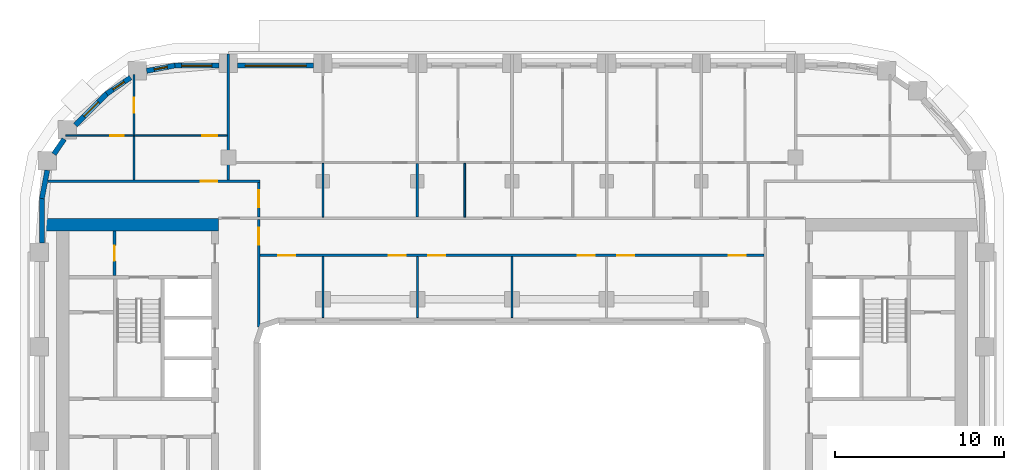
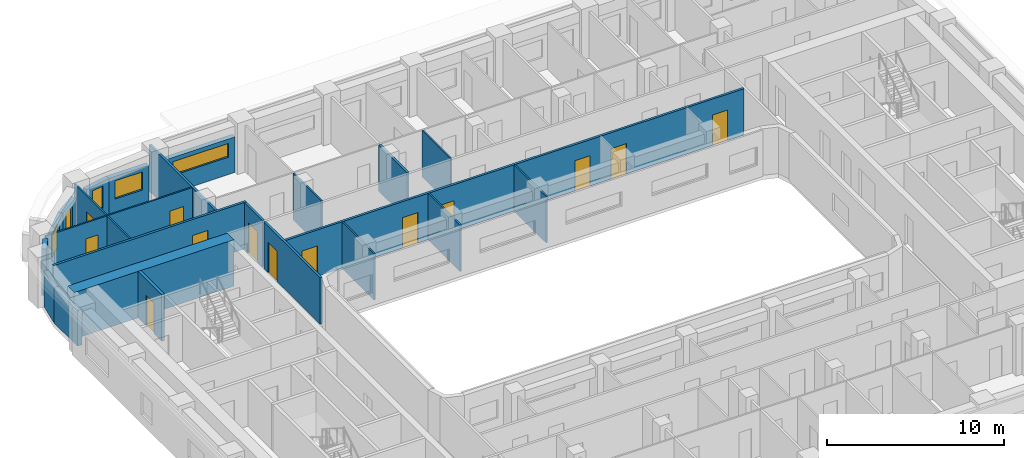
# One storey, part 7 of 22: 24 walls, 13 doors, 5 windows, 18 openings.
"""IFC4 building model written with IfcOpenShell, lengths in metres."""

from ifc_helpers import new_model, si_unit, direction, frame, frame_2d, origin, place, context, subcontext, project, spatial, rectangle, extrude, material, layer, layer_set, type_object, element, fill, save


model = new_model("IFC4")

# Units and contexts
model_context = context("Model", 3, precision=1e-05, world=origin(), true_north=direction((0.0, 1.0)))
body_context = subcontext(model_context, "Body", "Model", "MODEL_VIEW")
ifc_project = project(units=[si_unit("LENGTHUNIT", "METRE"), si_unit("AREAUNIT", "SQUARE_METRE"), si_unit("VOLUMEUNIT", "CUBIC_METRE"), si_unit("PLANEANGLEUNIT", "RADIAN"), si_unit("MASSUNIT", "GRAM", prefix="KILO")], contexts=[model_context])

# Site, building, storey
site_placement = place(None, origin())
site = spatial("IfcSite", under=ifc_project, at=site_placement, CompositionType="ELEMENT")
building_placement = place(site_placement, origin())
building = spatial("IfcBuilding", under=site, at=building_placement, Name="Kiln Ring Residences", CompositionType="ELEMENT")
storey_placement = place(building_placement, frame((0.0, 0.0, 139.60009765625)))
storey = spatial("IfcBuildingStorey", under=building, at=storey_placement, Name="L35", CompositionType="ELEMENT", Elevation=139.60009765625)

# Wall, opening, door
ifc_material_1 = material(Name="Gypsum board on steel studs", Category="steel")
ifc_layer_1 = layer(ifc_material_1, 0.199951171875)
ifc_layer_set_1 = layer_set([ifc_layer_1], Name="CORE-PARTITION-200")
wall_type_1 = type_object("IfcWallType", Name="CORE-PARTITION-200", PredefinedType="PARTITIONING", material=ifc_layer_set_1)
wall_1_placement = place(storey_placement, frame((-23.550048828125, 9.800048828125, 0.0), z_axis=(0.0, 0.0, 1.0), x_axis=(0.0, 1.0, 0.0)))
wall_1 = element("IfcWall", 1, at=wall_1_placement, inside=storey, type_object=wall_type_1, Name="Core partition west L35 4", PredefinedType="PARTITIONING", context=body_context, shape_type="SweptSolid", body=[
    extrude(rectangle(XDim=2.64990234375, YDim=0.199951171875, at=frame_2d((1.324951171875, 0.0))), origin(), (0.0, 0.0, 1.0), 3.199951171875),
])
opening_1_placement = place(wall_1_placement, frame((0.875, 0.0, 0.0)))
opening_1 = element("IfcOpeningElement", 2, at=opening_1_placement, cuts=wall_1, Name="Opening L35-CW09", PredefinedType="OPENING", context=body_context, shape_type="SweptSolid", body=[
    extrude(rectangle(XDim=0.89990234375, YDim=2.10009765625, at=frame_2d((0.449951171875, 1.050048828125))), frame((0.0, 0.10986328125, 0.0), z_axis=(0.0, -1.0, 0.0), x_axis=(1.0, 0.0, 0.0)), (0.0, 0.0, 1.0), 0.219970703125),
])
ifc_material_2 = material(Name="Steel door leaf", Category="steel")
door_type_1 = type_object("IfcDoorType", Name="CORE-DOOR-ROOM", OperationType="SINGLE_SWING_LEFT", PredefinedType="DOOR", material=ifc_material_2)
door_1_placement = place(opening_1_placement, origin())
door_1 = element("IfcDoor", 3, at=door_1_placement, inside=storey, type_object=door_type_1, Name="Fire riser room L35-CW09", OperationType="SINGLE_SWING_LEFT", OverallHeight=2.10009765625, OverallWidth=0.89990234375, PredefinedType="DOOR", context=body_context, shape_type="SweptSolid", body=[
    extrude(rectangle(XDim=0.89990234375, YDim=2.10009765625, at=frame_2d((0.449951171875, 1.050048828125))), frame((0.0, 0.02490234375, 0.0), z_axis=(0.0, -1.0, 0.0), x_axis=(1.0, 0.0, 0.0)), (0.0, 0.0, 1.0), 0.050048828125),
])
fill(opening_1, door_1)

# Wall
ifc_material_3 = material(Name="Concrete C60/75", Category="concrete")
ifc_layer_2 = layer(ifc_material_3, 0.75)
ifc_layer_set_2 = layer_set([ifc_layer_2], Name="CORE-WALL-RC750")
wall_type_2 = type_object("IfcWallType", Name="CORE-WALL-RC750", PredefinedType="SHEAR", material=ifc_layer_set_2)
wall_2_placement = place(storey_placement, frame((-17.39990234375, 12.824951171875, 0.0), z_axis=(0.0, 0.0, 1.0), x_axis=(-1.0, 0.0, 0.0)))
element("IfcWall", 4, at=wall_2_placement, inside=storey, type_object=wall_type_2, Name="Core wall west L35 4", PredefinedType="SHEAR", context=body_context, shape_type="SweptSolid", body=[
    extrude(rectangle(XDim=10.400146484375, YDim=0.75, at=frame_2d((5.2001953125, 0.0))), origin(), (0.0, 0.0, 1.0), 3.199951171875),
])

# Wall, opening, window
ifc_material_4 = material(Name="Brick masonry, dark clay brick", Category="masonry")
ifc_layer_3 = layer(ifc_material_4, 0.300048828125)
ifc_layer_set_3 = layer_set([ifc_layer_3], Name="EW-300 BRICK WALL")
wall_type_3 = type_object("IfcWallType", Name="EW-300 BRICK WALL", PredefinedType="SOLIDWALL", material=ifc_layer_set_3)
wall_3_placement = place(storey_placement, frame((-11.75, 22.25, 0.0), z_axis=(0.0, 0.0, 1.0), x_axis=(-1.0, 0.0, 0.0)))
wall_3 = element("IfcWall", 5, at=wall_3_placement, inside=storey, type_object=wall_type_3, Name="Facade wall L35 34", PredefinedType="SOLIDWALL", context=body_context, shape_type="SweptSolid", body=[
    extrude(rectangle(XDim=4.5, YDim=0.300048828125, at=frame_2d((2.25, 0.0))), origin(), (0.0, 0.0, 1.0), 2.449951171875),
])
opening_2_placement = place(wall_3_placement, frame((0.449951171875, 0.0, 1.199951171875)))
opening_2 = element("IfcOpeningElement", 6, at=opening_2_placement, cuts=wall_3, Name="Opening W4", PredefinedType="OPENING", context=body_context, shape_type="SweptSolid", body=[
    extrude(rectangle(XDim=3.60009765625, YDim=0.949951171875, at=frame_2d((1.800048828125, 0.47509765625))), frame((0.0, 0.159912109375, 0.0), z_axis=(0.0, -1.0, 0.0), x_axis=(1.0, 0.0, 0.0)), (0.0, 0.0, 1.0), 0.320068359375),
])
ifc_material_5 = material(Name="Aluminium frame with double glazing", Category="aluminium")
window_type_1 = type_object("IfcWindowType", Name="WINDOW 3600 x 950", PartitioningType="SINGLE_PANEL", PredefinedType="WINDOW", material=ifc_material_5)
window_1_placement = place(opening_2_placement, origin())
window_1 = element("IfcWindow", 7, at=window_1_placement, inside=storey, type_object=window_type_1, Name="Window L35 28", OverallHeight=0.949951171875, OverallWidth=3.60009765625, PartitioningType="SINGLE_PANEL", PredefinedType="WINDOW", context=body_context, shape_type="SweptSolid", body=[
    extrude(rectangle(XDim=3.60009765625, YDim=0.949951171875, at=frame_2d((1.800048828125, 0.47509765625))), frame((0.0, 0.030029296875, 0.0), z_axis=(0.0, -1.0, 0.0), x_axis=(1.0, 0.0, 0.0)), (0.0, 0.0, 1.0), 0.06005859375),
])
fill(opening_2, window_1)

wall_4_placement = place(storey_placement, frame((-17.35009765625, 22.25, 0.0), z_axis=(0.0, 0.0, 1.0), x_axis=(-1.0, 0.0, 0.0)))
wall_4 = element("IfcWall", 8, at=wall_4_placement, inside=storey, type_object=wall_type_3, Name="Facade wall L35 35", PredefinedType="SOLIDWALL", context=body_context, shape_type="SweptSolid", body=[
    extrude(rectangle(XDim=2.64990234375, YDim=0.300048828125, at=frame_2d((1.324951171875, 0.0))), origin(), (0.0, 0.0, 1.0), 2.449951171875),
])
opening_3_placement = place(wall_4_placement, frame((0.425048828125, 0.0, 0.89990234375)))
opening_3 = element("IfcOpeningElement", 9, at=opening_3_placement, cuts=wall_4, Name="Opening W2", PredefinedType="OPENING", context=body_context, shape_type="SweptSolid", body=[
    extrude(rectangle(XDim=1.800048828125, YDim=1.25, at=frame_2d((0.89990234375, 0.625))), frame((0.0, 0.159912109375, 0.0), z_axis=(0.0, -1.0, 0.0), x_axis=(1.0, 0.0, 0.0)), (0.0, 0.0, 1.0), 0.320068359375),
])
ifc_material_6 = material(Name="Aluminium frame with double glazing", Category="aluminium")
window_type_2 = type_object("IfcWindowType", Name="WINDOW 1800 x 1250", PartitioningType="SINGLE_PANEL", PredefinedType="WINDOW", material=ifc_material_6)
window_2_placement = place(opening_3_placement, origin())
window_2 = element("IfcWindow", 10, at=window_2_placement, inside=storey, type_object=window_type_2, Name="Window L35 29", OverallHeight=1.25, OverallWidth=1.800048828125, PartitioningType="SINGLE_PANEL", PredefinedType="WINDOW", context=body_context, shape_type="SweptSolid", body=[
    extrude(rectangle(XDim=1.800048828125, YDim=1.25, at=frame_2d((0.89990234375, 0.625))), frame((0.0, 0.030029296875, 0.0), z_axis=(0.0, -1.0, 0.0), x_axis=(1.0, 0.0, 0.0)), (0.0, 0.0, 1.0), 0.06005859375),
])
fill(opening_3, window_2)

wall_5_placement = place(storey_placement, frame((-19.971923828125, 22.252685546875, 0.0), z_axis=(0.0, 0.0, 1.0), x_axis=(-0.982297206936, -0.187329114784, 0.0)))
wall_5 = element("IfcWall", 11, at=wall_5_placement, inside=storey, type_object=wall_type_3, Name="Facade wall L35 36", PredefinedType="SOLIDWALL", context=body_context, shape_type="SweptSolid", body=[
    extrude(rectangle(XDim=1.7060546875, YDim=0.300048828125, at=frame_2d((0.85302734375, 0.0))), origin(), (0.0, 0.0, 1.0), 2.449951171875),
])
opening_4_placement = place(wall_5_placement, frame((0.453125, 0.0, 0.60009765625)))
opening_4 = element("IfcOpeningElement", 12, at=opening_4_placement, cuts=wall_5, Name="Opening W5", PredefinedType="OPENING", context=body_context, shape_type="SweptSolid", body=[
    extrude(rectangle(XDim=0.800048828125, YDim=1.550048828125, at=frame_2d((0.39990234375, 0.77490234375))), frame((0.0, 0.159912109375, 0.0), z_axis=(0.0, -1.0, 0.0), x_axis=(1.0, 0.0, 0.0)), (0.0, 0.0, 1.0), 0.320068359375),
])
ifc_material_7 = material(Name="Aluminium frame with double glazing", Category="aluminium")
window_type_3 = type_object("IfcWindowType", Name="WINDOW 800 x 1550", PartitioningType="SINGLE_PANEL", PredefinedType="WINDOW", material=ifc_material_7)
window_3_placement = place(opening_4_placement, origin())
window_3 = element("IfcWindow", 13, at=window_3_placement, inside=storey, type_object=window_type_3, Name="Window L35 30", OverallHeight=1.550048828125, OverallWidth=0.800048828125, PartitioningType="SINGLE_PANEL", PredefinedType="WINDOW", context=body_context, shape_type="SweptSolid", body=[
    extrude(rectangle(XDim=0.800048828125, YDim=1.550048828125, at=frame_2d((0.39990234375, 0.77490234375))), frame((0.0, 0.030029296875, 0.0), z_axis=(0.0, -1.0, 0.0), x_axis=(1.0, 0.0, 0.0)), (0.0, 0.0, 1.0), 0.06005859375),
])
fill(opening_4, window_3)

wall_6_placement = place(storey_placement, frame((-22.601806640625, 21.537841796875, 0.0), z_axis=(0.0, 0.0, 1.0), x_axis=(-0.827040942766, -0.562141689424, 0.0)))
wall_6 = element("IfcWall", 14, at=wall_6_placement, inside=storey, type_object=wall_type_3, Name="Facade wall L35 37", PredefinedType="SOLIDWALL", context=body_context, shape_type="SweptSolid", body=[
    extrude(rectangle(XDim=1.7060546875, YDim=0.300048828125, at=frame_2d((0.85302734375, 0.0))), origin(), (0.0, 0.0, 1.0), 2.449951171875),
])
opening_5_placement = place(wall_6_placement, frame((0.453125, 0.0, 0.60009765625)))
opening_5 = element("IfcOpeningElement", 15, at=opening_5_placement, cuts=wall_6, Name="Opening W5", PredefinedType="OPENING", context=body_context, shape_type="SweptSolid", body=[
    extrude(rectangle(XDim=0.800048828125, YDim=1.550048828125, at=frame_2d((0.39990234375, 0.77490234375))), frame((0.0, 0.159912109375, 0.0), z_axis=(0.0, -1.0, 0.0), x_axis=(1.0, 0.0, 0.0)), (0.0, 0.0, 1.0), 0.320068359375),
])
window_4_placement = place(opening_5_placement, origin())
window_4 = element("IfcWindow", 16, at=window_4_placement, inside=storey, type_object=window_type_3, Name="Window L35 31", OverallHeight=1.550048828125, OverallWidth=0.800048828125, PartitioningType="SINGLE_PANEL", PredefinedType="WINDOW", context=body_context, shape_type="SweptSolid", body=[
    extrude(rectangle(XDim=0.800048828125, YDim=1.550048828125, at=frame_2d((0.39990234375, 0.77490234375))), frame((0.0, 0.030029296875, 0.0), z_axis=(0.0, -1.0, 0.0), x_axis=(1.0, 0.0, 0.0)), (0.0, 0.0, 1.0), 0.06005859375),
])
fill(opening_5, window_4)

wall_7_placement = place(storey_placement, frame((-23.990966796875, 20.596923828125, 0.0), z_axis=(0.0, 0.0, 1.0), x_axis=(-0.707106781187, -0.707106781187, 0.0)))
wall_7 = element("IfcWall", 17, at=wall_7_placement, inside=storey, type_object=wall_type_3, Name="Facade wall L35 38", PredefinedType="SOLIDWALL", context=body_context, shape_type="SweptSolid", body=[
    extrude(rectangle(XDim=2.64990234375, YDim=0.300048828125, at=frame_2d((1.324951171875, 0.0))), origin(), (0.0, 0.0, 1.0), 2.449951171875),
])
opening_6_placement = place(wall_7_placement, frame((0.72509765625, 0.0, 0.60009765625)))
opening_6 = element("IfcOpeningElement", 18, at=opening_6_placement, cuts=wall_7, Name="Opening W1", PredefinedType="OPENING", context=body_context, shape_type="SweptSolid", body=[
    extrude(rectangle(XDim=1.199951171875, YDim=1.550048828125, at=frame_2d((0.60009765625, 0.77490234375))), frame((0.0, 0.159912109375, 0.0), z_axis=(0.0, -1.0, 0.0), x_axis=(1.0, 0.0, 0.0)), (0.0, 0.0, 1.0), 0.320068359375),
])
ifc_material_8 = material(Name="Aluminium frame with double glazing", Category="aluminium")
window_type_4 = type_object("IfcWindowType", Name="WINDOW 1200 x 1550", PartitioningType="SINGLE_PANEL", PredefinedType="WINDOW", material=ifc_material_8)
window_5_placement = place(opening_6_placement, origin())
window_5 = element("IfcWindow", 19, at=window_5_placement, inside=storey, type_object=window_type_4, Name="Window L35 32", OverallHeight=1.550048828125, OverallWidth=1.199951171875, PartitioningType="SINGLE_PANEL", PredefinedType="WINDOW", context=body_context, shape_type="SweptSolid", body=[
    extrude(rectangle(XDim=1.199951171875, YDim=1.550048828125, at=frame_2d((0.60009765625, 0.77490234375))), frame((0.0, 0.030029296875, 0.0), z_axis=(0.0, -1.0, 0.0), x_axis=(1.0, 0.0, 0.0)), (0.0, 0.0, 1.0), 0.06005859375),
])
fill(opening_6, window_5)

# Walls
wall_8_placement = place(storey_placement, frame((-26.532470703125, 17.892578125, 0.0), z_axis=(0.0, 0.0, 1.0), x_axis=(-0.562105419172, -0.82706559458, 0.0)))
element("IfcWall", 20, at=wall_8_placement, inside=storey, type_object=wall_type_3, Name="Facade wall L35 39", PredefinedType="SOLIDWALL", context=body_context, shape_type="SweptSolid", body=[
    extrude(rectangle(XDim=1.0771484375, YDim=0.300048828125, at=frame_2d((0.53857421875, 0.0))), origin(), (0.0, 0.0, 1.0), 3.199951171875),
])
wall_9_placement = place(storey_placement, frame((-27.532958984375, 16.0478515625, 0.0), z_axis=(0.0, 0.0, 1.0), x_axis=(-0.187302784601, -0.982302227871, 0.0)))
element("IfcWall", 21, at=wall_9_placement, inside=storey, type_object=wall_type_3, Name="Facade wall L35 40", PredefinedType="SOLIDWALL", context=body_context, shape_type="SweptSolid", body=[
    extrude(rectangle(XDim=1.706298828125, YDim=0.300048828125, at=frame_2d((0.85302734375, 0.0))), origin(), (0.0, 0.0, 1.0), 2.449951171875),
])
wall_10_placement = place(storey_placement, frame((-27.85009765625, 14.39990234375, 0.0), z_axis=(0.0, 0.0, 1.0), x_axis=(0.0, -1.0, 0.0)))
element("IfcWall", 22, at=wall_10_placement, inside=storey, type_object=wall_type_3, Name="Facade wall L35 41", PredefinedType="SOLIDWALL", context=body_context, shape_type="SweptSolid", body=[
    extrude(rectangle(XDim=2.64990234375, YDim=0.300048828125, at=frame_2d((1.324951171875, 0.0))), origin(), (0.0, 0.0, 1.0), 2.449951171875),
])

# Wall, openings, doors
ifc_material_9 = material(Name="Gypsum board on steel studs", Category="steel")
ifc_layer_4 = layer(ifc_material_9, 0.10009765625)
ifc_layer_set_4 = layer_set([ifc_layer_4], Name="PARTITION-100")
wall_type_4 = type_object("IfcWallType", Name="PARTITION-100", PredefinedType="PARTITIONING", material=ifc_layer_set_4)
wall_11_placement = place(storey_placement, frame((-26.43994140625, 18.10009765625, 0.0), z_axis=(0.0, 0.0, 1.0), x_axis=(1.0, 0.0, 0.0)))
wall_11 = element("IfcWall", 23, at=wall_11_placement, inside=storey, type_object=wall_type_4, Name="Partition 012", PredefinedType="PARTITIONING", context=body_context, shape_type="SweptSolid", body=[
    extrude(rectangle(XDim=9.56494140625, YDim=0.10009765625, at=frame_2d((4.782470703125, 0.0))), origin(), (0.0, 0.0, 1.0), 3.199951171875),
])
opening_7_placement = place(wall_11_placement, frame((2.6259765625, 0.0, 0.0)))
opening_7 = element("IfcOpeningElement", 24, at=opening_7_placement, cuts=wall_11, Name="Opening L35-D040", PredefinedType="OPENING", context=body_context, shape_type="SweptSolid", body=[
    extrude(rectangle(XDim=0.800048828125, YDim=2.10009765625, at=frame_2d((0.39990234375, 1.050048828125))), frame((0.0, 0.06005859375, 0.0), z_axis=(0.0, -1.0, 0.0), x_axis=(1.0, 0.0, 0.0)), (0.0, 0.0, 1.0), 0.1201171875),
])
opening_8_placement = place(wall_11_placement, frame((8.090087890625, 0.0, 0.0)))
opening_8 = element("IfcOpeningElement", 25, at=opening_8_placement, cuts=wall_11, Name="Opening L35-D041", PredefinedType="OPENING", context=body_context, shape_type="SweptSolid", body=[
    extrude(rectangle(XDim=0.89990234375, YDim=2.10009765625, at=frame_2d((0.449951171875, 1.050048828125))), frame((0.0, 0.06005859375, 0.0), z_axis=(0.0, -1.0, 0.0), x_axis=(1.0, 0.0, 0.0)), (0.0, 0.0, 1.0), 0.1201171875),
])
ifc_material_10 = material(Name="Timber door leaf", Category="wood")
door_type_2 = type_object("IfcDoorType", Name="FLAT-DOOR-800-PL", OperationType="SINGLE_SWING_LEFT", PredefinedType="DOOR", material=ifc_material_10)
door_2_placement = place(opening_7_placement, origin())
door_2 = element("IfcDoor", 26, at=door_2_placement, inside=storey, type_object=door_type_2, Name="Door L35-D040", OperationType="SINGLE_SWING_RIGHT", OverallHeight=2.10009765625, OverallWidth=0.800048828125, PredefinedType="DOOR", context=body_context, shape_type="SweptSolid", body=[
    extrude(rectangle(XDim=0.800048828125, YDim=2.10009765625, at=frame_2d((0.39990234375, 1.050048828125))), frame((0.0, 0.02490234375, 0.0), z_axis=(0.0, -1.0, 0.0), x_axis=(1.0, 0.0, 0.0)), (0.0, 0.0, 1.0), 0.050048828125),
])
fill(opening_7, door_2)
ifc_material_11 = material(Name="Timber door leaf", Category="wood")
door_type_3 = type_object("IfcDoorType", Name="FLAT-DOOR-900-PL", OperationType="SINGLE_SWING_LEFT", PredefinedType="DOOR", material=ifc_material_11)
door_3_placement = place(opening_8_placement, origin())
door_3 = element("IfcDoor", 27, at=door_3_placement, inside=storey, type_object=door_type_3, Name="Door L35-D041", OperationType="SINGLE_SWING_LEFT", OverallHeight=2.10009765625, OverallWidth=0.89990234375, PredefinedType="DOOR", context=body_context, shape_type="SweptSolid", body=[
    extrude(rectangle(XDim=0.89990234375, YDim=2.10009765625, at=frame_2d((0.449951171875, 1.050048828125))), frame((0.0, 0.02490234375, 0.0), z_axis=(0.0, -1.0, 0.0), x_axis=(1.0, 0.0, 0.0)), (0.0, 0.0, 1.0), 0.050048828125),
])
fill(opening_8, door_3)

# Wall
wall_12_placement = place(storey_placement, frame((-22.39990234375, 15.47509765625, 0.0), z_axis=(0.0, 0.0, 1.0), x_axis=(0.0, 1.0, 0.0)))
element("IfcWall", 28, at=wall_12_placement, inside=storey, type_object=wall_type_4, Name="Partition 016", PredefinedType="PARTITIONING", context=body_context, shape_type="SweptSolid", body=[
    extrude(rectangle(XDim=2.574951171875, YDim=0.10009765625, at=frame_2d((1.28759765625, 0.0))), origin(), (0.0, 0.0, 1.0), 3.199951171875),
])

# Wall, opening, door
wall_13_placement = place(storey_placement, frame((-22.39990234375, 18.14990234375, 0.0), z_axis=(0.0, 0.0, 1.0), x_axis=(0.0, 1.0, 0.0)))
wall_13 = element("IfcWall", 29, at=wall_13_placement, inside=storey, type_object=wall_type_4, Name="Partition 017", PredefinedType="PARTITIONING", context=body_context, shape_type="SweptSolid", body=[
    extrude(rectangle(XDim=3.570068359375, YDim=0.10009765625, at=frame_2d((1.78515625, 0.0))), origin(), (0.0, 0.0, 1.0), 3.199951171875),
])
opening_9_placement = place(wall_13_placement, frame((1.298095703125, 0.0, 0.0)))
opening_9 = element("IfcOpeningElement", 30, at=opening_9_placement, cuts=wall_13, Name="Opening L35-D042", PredefinedType="OPENING", context=body_context, shape_type="SweptSolid", body=[
    extrude(rectangle(XDim=0.89990234375, YDim=2.10009765625, at=frame_2d((0.449951171875, 1.050048828125))), frame((0.0, 0.06005859375, 0.0), z_axis=(0.0, -1.0, 0.0), x_axis=(1.0, 0.0, 0.0)), (0.0, 0.0, 1.0), 0.1201171875),
])
door_4_placement = place(opening_9_placement, origin())
door_4 = element("IfcDoor", 31, at=door_4_placement, inside=storey, type_object=door_type_3, Name="Door L35-D042", OperationType="SINGLE_SWING_RIGHT", OverallHeight=2.10009765625, OverallWidth=0.89990234375, PredefinedType="DOOR", context=body_context, shape_type="SweptSolid", body=[
    extrude(rectangle(XDim=0.89990234375, YDim=2.10009765625, at=frame_2d((0.449951171875, 1.050048828125))), frame((0.0, 0.02490234375, 0.0), z_axis=(0.0, -1.0, 0.0), x_axis=(1.0, 0.0, 0.0)), (0.0, 0.0, 1.0), 0.050048828125),
])
fill(opening_9, door_4)

# Walls
wall_14_placement = place(storey_placement, frame((-11.199951171875, 7.320068359375, 0.0), z_axis=(0.0, 0.0, 1.0), x_axis=(0.0, 1.0, 0.0)))
element("IfcWall", 32, at=wall_14_placement, inside=storey, type_object=wall_type_4, Name="Partition 027", PredefinedType="PARTITIONING", context=body_context, shape_type="SweptSolid", body=[
    extrude(rectangle(XDim=3.60498046875, YDim=0.10009765625, at=frame_2d((1.802490234375, 0.0))), origin(), (0.0, 0.0, 1.0), 3.199951171875),
])
wall_15_placement = place(storey_placement, frame((-11.199951171875, 13.27490234375, 0.0), z_axis=(0.0, 0.0, 1.0), x_axis=(0.0, 1.0, 0.0)))
element("IfcWall", 33, at=wall_15_placement, inside=storey, type_object=wall_type_4, Name="Partition 028", PredefinedType="PARTITIONING", context=body_context, shape_type="SweptSolid", body=[
    extrude(rectangle(XDim=3.175048828125, YDim=0.10009765625, at=frame_2d((1.58740234375, 0.0))), origin(), (0.0, 0.0, 1.0), 3.199951171875),
])
wall_16_placement = place(storey_placement, frame((-5.60009765625, 7.320068359375, 0.0), z_axis=(0.0, 0.0, 1.0), x_axis=(0.0, 1.0, 0.0)))
element("IfcWall", 34, at=wall_16_placement, inside=storey, type_object=wall_type_4, Name="Partition 031", PredefinedType="PARTITIONING", context=body_context, shape_type="SweptSolid", body=[
    extrude(rectangle(XDim=3.60498046875, YDim=0.10009765625, at=frame_2d((1.802490234375, 0.0))), origin(), (0.0, 0.0, 1.0), 3.199951171875),
])
wall_17_placement = place(storey_placement, frame((-2.800048828125, 13.27490234375, 0.0), z_axis=(0.0, 0.0, 1.0), x_axis=(0.0, 1.0, 0.0)))
element("IfcWall", 35, at=wall_17_placement, inside=storey, type_object=wall_type_4, Name="Partition 037", PredefinedType="PARTITIONING", context=body_context, shape_type="SweptSolid", body=[
    extrude(rectangle(XDim=3.175048828125, YDim=0.10009765625, at=frame_2d((1.58740234375, 0.0))), origin(), (0.0, 0.0, 1.0), 3.199951171875),
])
wall_18_placement = place(storey_placement, frame((0.0, 7.320068359375, 0.0), z_axis=(0.0, 0.0, 1.0), x_axis=(0.0, 1.0, 0.0)))
element("IfcWall", 36, at=wall_18_placement, inside=storey, type_object=wall_type_4, Name="Partition 040", PredefinedType="PARTITIONING", context=body_context, shape_type="SweptSolid", body=[
    extrude(rectangle(XDim=3.60498046875, YDim=0.10009765625, at=frame_2d((1.802490234375, 0.0))), origin(), (0.0, 0.0, 1.0), 3.199951171875),
])

# Wall, openings, doors
ifc_material_12 = material(Name="Brick masonry partition", Category="masonry")
ifc_layer_5 = layer(ifc_material_12, 0.14990234375)
ifc_layer_set_5 = layer_set([ifc_layer_5], Name="PARTITION-150-ei60")
wall_type_5 = type_object("IfcWallType", Name="PARTITION-150-ei60", PredefinedType="PARTITIONING", material=ifc_layer_set_5)
wall_19_placement = place(storey_placement, frame((-14.925048828125, 11.0, 0.0), z_axis=(0.0, 0.0, 1.0), x_axis=(1.0, 0.0, 0.0)))
wall_19 = element("IfcWall", 37, at=wall_19_placement, inside=storey, type_object=wall_type_5, Name="Partition 007", PredefinedType="PARTITIONING", context=body_context, shape_type="SweptSolid", body=[
    extrude(rectangle(XDim=29.85009765625, YDim=0.14990234375, at=frame_2d((14.925048828125, 0.0))), origin(), (0.0, 0.0, 1.0), 3.199951171875),
])
opening_10_placement = place(wall_19_placement, frame((1.075927734375, 0.0, 0.0)))
opening_10 = element("IfcOpeningElement", 38, at=opening_10_placement, cuts=wall_19, Name="Opening L35-D009", PredefinedType="OPENING", context=body_context, shape_type="SweptSolid", body=[
    extrude(rectangle(XDim=1.0, YDim=2.10009765625, at=frame_2d((0.5, 1.050048828125))), frame((0.0, 0.0849609375, 0.0), z_axis=(0.0, -1.0, 0.0), x_axis=(1.0, 0.0, 0.0)), (0.0, 0.0, 1.0), 0.169921875),
])
opening_11_placement = place(wall_19_placement, frame((7.625, 0.0, 0.0)))
opening_11 = element("IfcOpeningElement", 39, at=opening_11_placement, cuts=wall_19, Name="Opening L35-D010", PredefinedType="OPENING", context=body_context, shape_type="SweptSolid", body=[
    extrude(rectangle(XDim=1.0, YDim=2.10009765625, at=frame_2d((0.5, 1.050048828125))), frame((0.0, 0.0849609375, 0.0), z_axis=(0.0, -1.0, 0.0), x_axis=(1.0, 0.0, 0.0)), (0.0, 0.0, 1.0), 0.169921875),
])
opening_12_placement = place(wall_19_placement, frame((9.97509765625, 0.0, 0.0)))
opening_12 = element("IfcOpeningElement", 40, at=opening_12_placement, cuts=wall_19, Name="Opening L35-D011", PredefinedType="OPENING", context=body_context, shape_type="SweptSolid", body=[
    extrude(rectangle(XDim=1.0, YDim=2.10009765625, at=frame_2d((0.5, 1.050048828125))), frame((0.0, 0.0849609375, 0.0), z_axis=(0.0, -1.0, 0.0), x_axis=(1.0, 0.0, 0.0)), (0.0, 0.0, 1.0), 0.169921875),
])
opening_13_placement = place(wall_19_placement, frame((18.824951171875, 0.0, 0.0)))
opening_13 = element("IfcOpeningElement", 41, at=opening_13_placement, cuts=wall_19, Name="Opening L35-D012", PredefinedType="OPENING", context=body_context, shape_type="SweptSolid", body=[
    extrude(rectangle(XDim=1.0, YDim=2.10009765625, at=frame_2d((0.5, 1.050048828125))), frame((0.0, 0.0849609375, 0.0), z_axis=(0.0, -1.0, 0.0), x_axis=(1.0, 0.0, 0.0)), (0.0, 0.0, 1.0), 0.169921875),
])
opening_14_placement = place(wall_19_placement, frame((21.175048828125, 0.0, 0.0)))
opening_14 = element("IfcOpeningElement", 42, at=opening_14_placement, cuts=wall_19, Name="Opening L35-D013", PredefinedType="OPENING", context=body_context, shape_type="SweptSolid", body=[
    extrude(rectangle(XDim=1.0, YDim=2.10009765625, at=frame_2d((0.5, 1.050048828125))), frame((0.0, 0.0849609375, 0.0), z_axis=(0.0, -1.0, 0.0), x_axis=(1.0, 0.0, 0.0)), (0.0, 0.0, 1.0), 0.169921875),
])
opening_15_placement = place(wall_19_placement, frame((27.77490234375, 0.0, 0.0)))
opening_15 = element("IfcOpeningElement", 43, at=opening_15_placement, cuts=wall_19, Name="Opening L35-D014", PredefinedType="OPENING", context=body_context, shape_type="SweptSolid", body=[
    extrude(rectangle(XDim=1.0, YDim=2.10009765625, at=frame_2d((0.5, 1.050048828125))), frame((0.0, 0.0849609375, 0.0), z_axis=(0.0, -1.0, 0.0), x_axis=(1.0, 0.0, 0.0)), (0.0, 0.0, 1.0), 0.169921875),
])
ifc_material_13 = material(Name="Steel faced fire door leaf", Category="steel")
door_type_4 = type_object("IfcDoorType", Name="FLAT-DOOR-1000-FR", OperationType="SINGLE_SWING_LEFT", PredefinedType="DOOR", material=ifc_material_13)
door_5_placement = place(opening_10_placement, origin())
door_5 = element("IfcDoor", 44, at=door_5_placement, inside=storey, type_object=door_type_4, Name="Door L35-D009", OperationType="SINGLE_SWING_LEFT", OverallHeight=2.10009765625, OverallWidth=1.0, PredefinedType="DOOR", context=body_context, shape_type="SweptSolid", body=[
    extrude(rectangle(XDim=1.0, YDim=2.10009765625, at=frame_2d((0.5, 1.050048828125))), frame((0.0, 0.02490234375, 0.0), z_axis=(0.0, -1.0, 0.0), x_axis=(1.0, 0.0, 0.0)), (0.0, 0.0, 1.0), 0.050048828125),
])
fill(opening_10, door_5)
door_6_placement = place(opening_11_placement, origin())
door_6 = element("IfcDoor", 45, at=door_6_placement, inside=storey, type_object=door_type_4, Name="Door L35-D010", OperationType="SINGLE_SWING_RIGHT", OverallHeight=2.10009765625, OverallWidth=1.0, PredefinedType="DOOR", context=body_context, shape_type="SweptSolid", body=[
    extrude(rectangle(XDim=1.0, YDim=2.10009765625, at=frame_2d((0.5, 1.050048828125))), frame((0.0, 0.02490234375, 0.0), z_axis=(0.0, -1.0, 0.0), x_axis=(1.0, 0.0, 0.0)), (0.0, 0.0, 1.0), 0.050048828125),
])
fill(opening_11, door_6)
door_7_placement = place(opening_12_placement, origin())
door_7 = element("IfcDoor", 46, at=door_7_placement, inside=storey, type_object=door_type_4, Name="Door L35-D011", OperationType="SINGLE_SWING_LEFT", OverallHeight=2.10009765625, OverallWidth=1.0, PredefinedType="DOOR", context=body_context, shape_type="SweptSolid", body=[
    extrude(rectangle(XDim=1.0, YDim=2.10009765625, at=frame_2d((0.5, 1.050048828125))), frame((0.0, 0.02490234375, 0.0), z_axis=(0.0, -1.0, 0.0), x_axis=(1.0, 0.0, 0.0)), (0.0, 0.0, 1.0), 0.050048828125),
])
fill(opening_12, door_7)
door_8_placement = place(opening_13_placement, origin())
door_8 = element("IfcDoor", 47, at=door_8_placement, inside=storey, type_object=door_type_4, Name="Door L35-D012", OperationType="SINGLE_SWING_RIGHT", OverallHeight=2.10009765625, OverallWidth=1.0, PredefinedType="DOOR", context=body_context, shape_type="SweptSolid", body=[
    extrude(rectangle(XDim=1.0, YDim=2.10009765625, at=frame_2d((0.5, 1.050048828125))), frame((0.0, 0.02490234375, 0.0), z_axis=(0.0, -1.0, 0.0), x_axis=(1.0, 0.0, 0.0)), (0.0, 0.0, 1.0), 0.050048828125),
])
fill(opening_13, door_8)
door_9_placement = place(opening_14_placement, origin())
door_9 = element("IfcDoor", 48, at=door_9_placement, inside=storey, type_object=door_type_4, Name="Door L35-D013", OperationType="SINGLE_SWING_LEFT", OverallHeight=2.10009765625, OverallWidth=1.0, PredefinedType="DOOR", context=body_context, shape_type="SweptSolid", body=[
    extrude(rectangle(XDim=1.0, YDim=2.10009765625, at=frame_2d((0.5, 1.050048828125))), frame((0.0, 0.02490234375, 0.0), z_axis=(0.0, -1.0, 0.0), x_axis=(1.0, 0.0, 0.0)), (0.0, 0.0, 1.0), 0.050048828125),
])
fill(opening_14, door_9)
door_10_placement = place(opening_15_placement, origin())
door_10 = element("IfcDoor", 49, at=door_10_placement, inside=storey, type_object=door_type_4, Name="Door L35-D014", OperationType="SINGLE_SWING_RIGHT", OverallHeight=2.10009765625, OverallWidth=1.0, PredefinedType="DOOR", context=body_context, shape_type="SweptSolid", body=[
    extrude(rectangle(XDim=1.0, YDim=2.10009765625, at=frame_2d((0.5, 1.050048828125))), frame((0.0, 0.02490234375, 0.0), z_axis=(0.0, -1.0, 0.0), x_axis=(1.0, 0.0, 0.0)), (0.0, 0.0, 1.0), 0.050048828125),
])
fill(opening_15, door_10)

# Wall, opening, door
wall_20_placement = place(storey_placement, frame((-27.48388671875, 15.39990234375, 0.0), z_axis=(0.0, 0.0, 1.0), x_axis=(1.0, 0.0, 0.0)))
wall_20 = element("IfcWall", 50, at=wall_20_placement, inside=storey, type_object=wall_type_5, Name="Partition 009", PredefinedType="PARTITIONING", context=body_context, shape_type="SweptSolid", body=[
    extrude(rectangle(XDim=12.558837890625, YDim=0.14990234375, at=frame_2d((6.279296875, 0.0))), origin(), (0.0, 0.0, 1.0), 3.199951171875),
])
opening_16_placement = place(wall_20_placement, frame((9.03369140625, 0.0, 0.0)))
opening_16 = element("IfcOpeningElement", 51, at=opening_16_placement, cuts=wall_20, Name="Opening L35-D039", PredefinedType="OPENING", context=body_context, shape_type="SweptSolid", body=[
    extrude(rectangle(XDim=1.0, YDim=2.10009765625, at=frame_2d((0.5, 1.050048828125))), frame((0.0, 0.0849609375, 0.0), z_axis=(0.0, -1.0, 0.0), x_axis=(1.0, 0.0, 0.0)), (0.0, 0.0, 1.0), 0.169921875),
])
door_11_placement = place(opening_16_placement, origin())
door_11 = element("IfcDoor", 52, at=door_11_placement, inside=storey, type_object=door_type_4, Name="Door L35-D039", OperationType="SINGLE_SWING_LEFT", OverallHeight=2.10009765625, OverallWidth=1.0, PredefinedType="DOOR", context=body_context, shape_type="SweptSolid", body=[
    extrude(rectangle(XDim=1.0, YDim=2.10009765625, at=frame_2d((0.5, 1.050048828125))), frame((0.0, 0.02490234375, 0.0), z_axis=(0.0, -1.0, 0.0), x_axis=(1.0, 0.0, 0.0)), (0.0, 0.0, 1.0), 0.050048828125),
])
fill(opening_16, door_11)

# Wall
wall_21_placement = place(storey_placement, frame((-16.800048828125, 15.47509765625, 0.0), z_axis=(0.0, 0.0, 1.0), x_axis=(0.0, 1.0, 0.0)))
element("IfcWall", 53, at=wall_21_placement, inside=storey, type_object=wall_type_5, Name="Partition 019", PredefinedType="PARTITIONING", context=body_context, shape_type="SweptSolid", body=[
    extrude(rectangle(XDim=7.454833984375, YDim=0.14990234375, at=frame_2d((3.7275390625, 0.0))), origin(), (0.0, 0.0, 1.0), 3.199951171875),
])

# Wall, opening, door
wall_22_placement = place(storey_placement, frame((-15.0, 6.768798828125, 0.0), z_axis=(0.0, 0.0, 1.0), x_axis=(0.0, 1.0, 0.0)))
wall_22 = element("IfcWall", 54, at=wall_22_placement, inside=storey, type_object=wall_type_5, Name="Partition 022", PredefinedType="PARTITIONING", context=body_context, shape_type="SweptSolid", body=[
    extrude(rectangle(XDim=6.356201171875, YDim=0.14990234375, at=frame_2d((3.17822265625, 0.0))), origin(), (0.0, 0.0, 1.0), 3.199951171875),
])
opening_17_placement = place(wall_22_placement, frame((4.860107421875, 0.0, 0.0)))
opening_17 = element("IfcOpeningElement", 55, at=opening_17_placement, cuts=wall_22, Name="Opening L35-D001", PredefinedType="OPENING", context=body_context, shape_type="SweptSolid", body=[
    extrude(rectangle(XDim=1.0, YDim=2.10009765625, at=frame_2d((0.5, 1.050048828125))), frame((0.0, 0.0849609375, 0.0), z_axis=(0.0, -1.0, 0.0), x_axis=(1.0, 0.0, 0.0)), (0.0, 0.0, 1.0), 0.169921875),
])
door_12_placement = place(opening_17_placement, origin())
door_12 = element("IfcDoor", 56, at=door_12_placement, inside=storey, type_object=door_type_4, Name="Door L35-D001", OperationType="SINGLE_SWING_RIGHT", OverallHeight=2.10009765625, OverallWidth=1.0, PredefinedType="DOOR", context=body_context, shape_type="SweptSolid", body=[
    extrude(rectangle(XDim=1.0, YDim=2.10009765625, at=frame_2d((0.5, 1.050048828125))), frame((0.0, 0.02490234375, 0.0), z_axis=(0.0, -1.0, 0.0), x_axis=(1.0, 0.0, 0.0)), (0.0, 0.0, 1.0), 0.050048828125),
])
fill(opening_17, door_12)

wall_23_placement = place(storey_placement, frame((-15.0, 13.27490234375, 0.0), z_axis=(0.0, 0.0, 1.0), x_axis=(0.0, 1.0, 0.0)))
wall_23 = element("IfcWall", 57, at=wall_23_placement, inside=storey, type_object=wall_type_5, Name="Partition 023", PredefinedType="PARTITIONING", context=body_context, shape_type="SweptSolid", body=[
    extrude(rectangle(XDim=2.050048828125, YDim=0.14990234375, at=frame_2d((1.02490234375, 0.0))), origin(), (0.0, 0.0, 1.0), 3.199951171875),
])
opening_18_placement = place(wall_23_placement, frame((0.575927734375, 0.0, 0.0)))
opening_18 = element("IfcOpeningElement", 58, at=opening_18_placement, cuts=wall_23, Name="Opening L35-D015", PredefinedType="OPENING", context=body_context, shape_type="SweptSolid", body=[
    extrude(rectangle(XDim=1.0, YDim=2.10009765625, at=frame_2d((0.5, 1.050048828125))), frame((0.0, 0.0849609375, 0.0), z_axis=(0.0, -1.0, 0.0), x_axis=(1.0, 0.0, 0.0)), (0.0, 0.0, 1.0), 0.169921875),
])
door_13_placement = place(opening_18_placement, origin())
door_13 = element("IfcDoor", 59, at=door_13_placement, inside=storey, type_object=door_type_4, Name="Door L35-D015", OperationType="SINGLE_SWING_LEFT", OverallHeight=2.10009765625, OverallWidth=1.0, PredefinedType="DOOR", context=body_context, shape_type="SweptSolid", body=[
    extrude(rectangle(XDim=1.0, YDim=2.10009765625, at=frame_2d((0.5, 1.050048828125))), frame((0.0, 0.02490234375, 0.0), z_axis=(0.0, -1.0, 0.0), x_axis=(1.0, 0.0, 0.0)), (0.0, 0.0, 1.0), 0.050048828125),
])
fill(opening_18, door_13)

# Wall
wall_24_placement = place(storey_placement, frame((-5.60009765625, 13.27490234375, 0.0), z_axis=(0.0, 0.0, 1.0), x_axis=(0.0, 1.0, 0.0)))
element("IfcWall", 60, at=wall_24_placement, inside=storey, type_object=wall_type_5, Name="Partition 034", PredefinedType="PARTITIONING", context=body_context, shape_type="SweptSolid", body=[
    extrude(rectangle(XDim=3.175048828125, YDim=0.14990234375, at=frame_2d((1.58740234375, 0.0))), origin(), (0.0, 0.0, 1.0), 3.199951171875),
])

save(model, "model.ifc")
